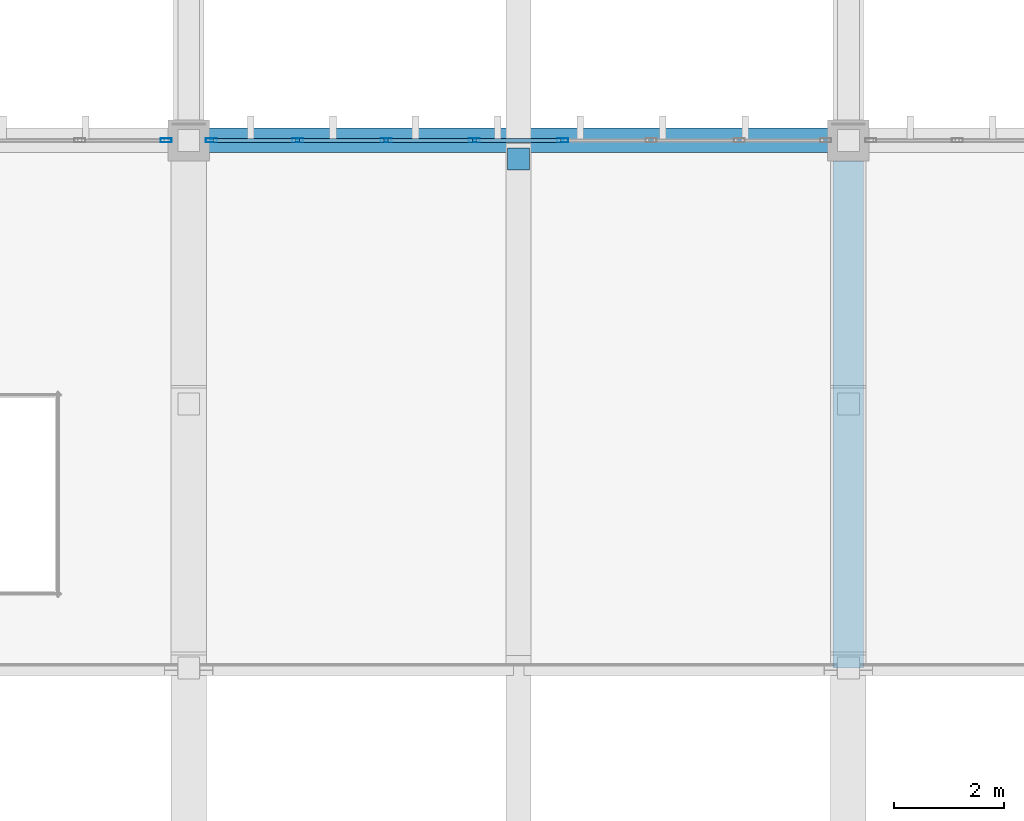
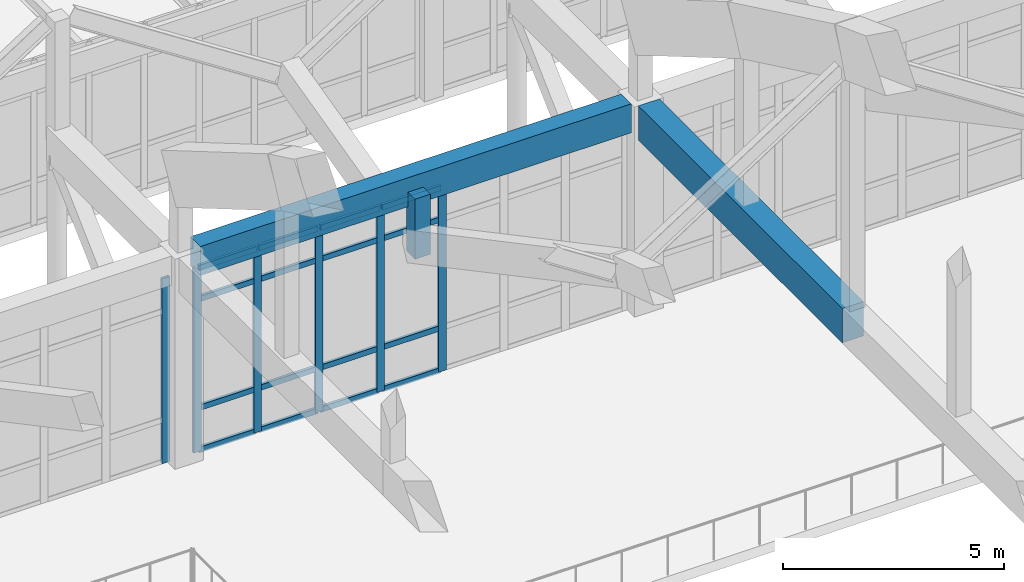
# One storey, part 84 of 236: 23 members, 2 beams, 2 elements without a shape of their own.
"""IFC4 building model written with IfcOpenShell, lengths in metres."""

from ifc_helpers import new_model, si_unit, direction, frame, origin, origin_2d, place, context, subcontext, project, spatial, rectangle, hollow_rectangle, extrude, material, layer, layer_set, material_profile, profile_set, type_object, element, aggregate, save


model = new_model("IFC4")

# Units and contexts
model_context = context("Model", 3, precision=1e-05, world=origin(), true_north=direction((0.0, 1.0)))
body_context = subcontext(model_context, "Body", "Model", "MODEL_VIEW")
ifc_project = project(units=[si_unit("LENGTHUNIT", "METRE"), si_unit("AREAUNIT", "SQUARE_METRE"), si_unit("VOLUMEUNIT", "CUBIC_METRE"), si_unit("PLANEANGLEUNIT", "RADIAN"), si_unit("MASSUNIT", "GRAM", prefix="KILO")], contexts=[model_context])

# Site, building, storey
site_placement = place(None, origin())
site = spatial("IfcSite", under=ifc_project, at=site_placement, CompositionType="ELEMENT")
building_placement = place(site_placement, origin())
building = spatial("IfcBuilding", under=site, at=building_placement, Name="Pandanus Reach Market Hall", CompositionType="ELEMENT")
storey_placement = place(building_placement, frame((0.0, 0.0, 5.39990234375)))
storey = spatial("IfcBuildingStorey", under=building, at=storey_placement, Name="L01", CompositionType="ELEMENT", Elevation=5.39990234375)

# Member
ifc_material_1 = material(Name="Concrete N50 (50 MPa)", Category="concrete")
ifc_material_profile_1 = material_profile(ifc_material_1, rectangle(XDim=0.39990234375, YDim=0.39990234375, at=origin_2d()), Name="RC400x400", Category="LoadBearing")
ifc_profile_set_1 = profile_set([ifc_material_profile_1], Name="Concrete N50 (50 MPa)")
member_type_1 = type_object("IfcMemberType", Name="AR-WEB400-E", PredefinedType="STRUT", material=ifc_profile_set_1)
member_1_placement = place(storey_placement, frame((102.0, 86.06005859375, 3.739990234375), z_axis=(0.0, 0.0, 1.0), x_axis=(1.0, 0.0, 0.0)))
element("IfcMember", 1, at=member_1_placement, inside=storey, type_object=member_type_1, Name="Butterfly north eave valley hanger B5N", PredefinedType="STRUT", context=body_context, shape_type="SweptSolid", body=[
    extrude(rectangle(XDim=0.39990234375, YDim=0.39990234375, at=origin_2d()), origin(), (0.0, 0.0, 1.0), 1.66015625),
])

# Beams
ifc_material_2 = material(Name="Concrete N40 (40 MPa)", Category="concrete")
ifc_material_profile_2 = material_profile(ifc_material_2, rectangle(XDim=0.449951171875, YDim=0.800048828125, at=origin_2d()), Name="RC450x800", Category="LoadBearing")
ifc_profile_set_2 = profile_set([ifc_material_profile_2], Name="Concrete N40 (40 MPa)")
beam_type_1 = type_object("IfcBeamType", Name="BM-RC450-E", PredefinedType="SPANDREL", material=ifc_profile_set_2)
beam_1_placement = place(storey_placement, frame((96.373046875, 86.39990234375, 5.400146484375), z_axis=(1.0, 0.0, 0.0), x_axis=(0.0, 1.0, 0.0)))
element("IfcBeam", 2, at=beam_1_placement, inside=storey, type_object=beam_type_1, Name="Framing beam BM-RC450-E L01.1149", PredefinedType="SPANDREL", context=body_context, shape_type="SweptSolid", body=[
    extrude(rectangle(XDim=0.449951171875, YDim=0.800048828125, at=origin_2d()), origin(), (0.0, 0.0, 1.0), 11.25390625),
])
ifc_material_profile_3 = material_profile(ifc_material_1, rectangle(XDim=0.550048828125, YDim=0.949951171875, at=origin_2d()), Name="RC550x950", Category="LoadBearing")
ifc_profile_set_3 = profile_set([ifc_material_profile_3], Name="Concrete N50 (50 MPa)")
beam_type_2 = type_object("IfcBeamType", Name="BM-RC550-I", PredefinedType="BEAM", material=ifc_profile_set_3)
beam_2_placement = place(storey_placement, frame((108.0, 76.800048828125, 5.3251953125), z_axis=(0.0, 1.0, 0.0), x_axis=(-1.0, 0.0, 0.0)))
element("IfcBeam", 3, at=beam_2_placement, inside=storey, type_object=beam_type_2, Name="Parabolic arch tie girder A6.6", PredefinedType="BEAM", context=body_context, shape_type="SweptSolid", body=[
    extrude(rectangle(XDim=0.550048828125, YDim=0.949951171875, at=origin_2d()), origin(), (0.0, 0.0, 1.0), 9.22705078125),
])

# Curtain wall, member
ifc_material_3 = material(Name="Bronze anodised aluminium and low-E glass", Category="aluminium")
ifc_layer = layer(ifc_material_3, 0.199951171875, Name="CW-02")
ifc_layer_set = layer_set([ifc_layer], Name="Bronze anodised aluminium and low-E glass")
curtain_wall_type = type_object("IfcCurtainWallType", Name="CW-02", PredefinedType="NOTDEFINED", material=ifc_layer_set)
curtain_wall_1_placement = place(storey_placement, origin())
curtain_wall_1 = element("IfcCurtainWall", 4, at=curtain_wall_1_placement, inside=storey, type_object=curtain_wall_type, Name="Glazed curtain wall CW-02 CW-0013", PredefinedType="NOTDEFINED")
ifc_material_4 = material(Name="Bronze anodised aluminium", Category="aluminium")
ifc_material_profile_4 = material_profile(ifc_material_4, hollow_rectangle(XDim=0.074951171875, YDim=0.199951171875, WallThickness=0.00439453125, at=origin_2d()), Name="ALU75x200", Category="LoadBearing")
ifc_profile_set_4 = profile_set([ifc_material_profile_4], Name="Bronze anodised aluminium")
member_type_2 = type_object("IfcMemberType", Name="CW-M2", PredefinedType="MULLION", material=ifc_profile_set_4)
member_2_placement = place(storey_placement, frame((95.58740234375, 86.39990234375, 0.0), z_axis=(0.0, 0.0, 1.0), x_axis=(0.0, 1.0, 0.0)))
member_2 = element("IfcMember", 5, at=member_2_placement, type_object=member_type_2, Name="CW-02 mullion 8", PredefinedType="MULLION", context=body_context, shape_type="SweptSolid", body=[
    extrude(hollow_rectangle(XDim=0.074951171875, YDim=0.199951171875, WallThickness=0.00439453125, at=origin_2d()), origin(), (0.0, 0.0, 1.0), 5.10009765625),
])
aggregate(curtain_wall_1, [member_2])

# Curtain wall, members
curtain_wall_2_placement = place(storey_placement, origin())
curtain_wall_2 = element("IfcCurtainWall", 6, at=curtain_wall_2_placement, inside=storey, type_object=curtain_wall_type, Name="Glazed curtain wall CW-02 CW-0015", PredefinedType="NOTDEFINED")
member_3_placement = place(storey_placement, frame((96.41259765625, 86.39990234375, 0.0), z_axis=(0.0, 0.0, 1.0), x_axis=(0.0, 1.0, 0.0)))
member_3 = element("IfcMember", 7, at=member_3_placement, type_object=member_type_2, Name="CW-02 mullion 1", PredefinedType="MULLION", context=body_context, shape_type="SweptSolid", body=[
    extrude(hollow_rectangle(XDim=0.074951171875, YDim=0.199951171875, WallThickness=0.00439453125, at=origin_2d()), origin(), (0.0, 0.0, 1.0), 5.10009765625),
])
member_4_placement = place(storey_placement, frame((97.982177734375, 86.39990234375, 0.0), z_axis=(0.0, 0.0, 1.0), x_axis=(0.0, 1.0, 0.0)))
member_4 = element("IfcMember", 8, at=member_4_placement, type_object=member_type_2, Name="CW-02 mullion 2", PredefinedType="MULLION", context=body_context, shape_type="SweptSolid", body=[
    extrude(hollow_rectangle(XDim=0.074951171875, YDim=0.199951171875, WallThickness=0.00439453125, at=origin_2d()), origin(), (0.0, 0.0, 1.0), 5.10009765625),
])
member_5_placement = place(storey_placement, frame((99.58935546875, 86.39990234375, 0.0), z_axis=(0.0, 0.0, 1.0), x_axis=(0.0, 1.0, 0.0)))
member_5 = element("IfcMember", 9, at=member_5_placement, type_object=member_type_2, Name="CW-02 mullion 3", PredefinedType="MULLION", context=body_context, shape_type="SweptSolid", body=[
    extrude(hollow_rectangle(XDim=0.074951171875, YDim=0.199951171875, WallThickness=0.00439453125, at=origin_2d()), origin(), (0.0, 0.0, 1.0), 5.10009765625),
])
member_6_placement = place(storey_placement, frame((101.196533203125, 86.39990234375, 0.0), z_axis=(0.0, 0.0, 1.0), x_axis=(0.0, 1.0, 0.0)))
member_6 = element("IfcMember", 10, at=member_6_placement, type_object=member_type_2, Name="CW-02 mullion 4", PredefinedType="MULLION", context=body_context, shape_type="SweptSolid", body=[
    extrude(hollow_rectangle(XDim=0.074951171875, YDim=0.199951171875, WallThickness=0.00439453125, at=origin_2d()), origin(), (0.0, 0.0, 1.0), 5.10009765625),
])
member_7_placement = place(storey_placement, frame((102.803466796875, 86.39990234375, 0.0), z_axis=(0.0, 0.0, 1.0), x_axis=(0.0, 1.0, 0.0)))
member_7 = element("IfcMember", 11, at=member_7_placement, type_object=member_type_2, Name="CW-02 mullion 5", PredefinedType="MULLION", context=body_context, shape_type="SweptSolid", body=[
    extrude(hollow_rectangle(XDim=0.074951171875, YDim=0.199951171875, WallThickness=0.00439453125, at=origin_2d()), origin(), (0.0, 0.0, 1.0), 5.10009765625),
])
ifc_material_profile_5 = material_profile(ifc_material_4, hollow_rectangle(XDim=0.074951171875, YDim=0.14990234375, WallThickness=0.00439453125, at=origin_2d()), Name="ALU75x150", Category="LoadBearing")
ifc_profile_set_5 = profile_set([ifc_material_profile_5], Name="Bronze anodised aluminium")
member_type_3 = type_object("IfcMemberType", Name="CW-T2", PredefinedType="USERDEFINED", material=ifc_profile_set_5)
member_8_placement = place(storey_placement, frame((96.449951171875, 86.39990234375, 0.03759765625), z_axis=(1.0, 0.0, 0.0), x_axis=(0.0, 1.0, 0.0)))
member_8 = element("IfcMember", 12, at=member_8_placement, type_object=member_type_3, Name="CW-02 transom 1.1", ObjectType="TRANSOM", PredefinedType="USERDEFINED", context=body_context, shape_type="SweptSolid", body=[
    extrude(hollow_rectangle(XDim=0.074951171875, YDim=0.14990234375, WallThickness=0.00439453125, at=origin_2d()), origin(), (0.0, 0.0, 1.0), 1.49462890625),
])
member_9_placement = place(storey_placement, frame((96.449951171875, 86.39990234375, 1.2001953125), z_axis=(1.0, 0.0, 0.0), x_axis=(0.0, 1.0, 0.0)))
member_9 = element("IfcMember", 13, at=member_9_placement, type_object=member_type_3, Name="CW-02 transom 1.2", ObjectType="TRANSOM", PredefinedType="USERDEFINED", context=body_context, shape_type="SweptSolid", body=[
    extrude(hollow_rectangle(XDim=0.074951171875, YDim=0.14990234375, WallThickness=0.00439453125, at=origin_2d()), origin(), (0.0, 0.0, 1.0), 1.49462890625),
])
member_10_placement = place(storey_placement, frame((96.449951171875, 86.39990234375, 4.2001953125), z_axis=(1.0, 0.0, 0.0), x_axis=(0.0, 1.0, 0.0)))
member_10 = element("IfcMember", 14, at=member_10_placement, type_object=member_type_3, Name="CW-02 transom 1.3", ObjectType="TRANSOM", PredefinedType="USERDEFINED", context=body_context, shape_type="SweptSolid", body=[
    extrude(hollow_rectangle(XDim=0.074951171875, YDim=0.14990234375, WallThickness=0.00439453125, at=origin_2d()), origin(), (0.0, 0.0, 1.0), 1.49462890625),
])
member_11_placement = place(storey_placement, frame((96.449951171875, 86.39990234375, 5.0625), z_axis=(1.0, 0.0, 0.0), x_axis=(0.0, 1.0, 0.0)))
member_11 = element("IfcMember", 15, at=member_11_placement, type_object=member_type_3, Name="CW-02 transom 1.4", ObjectType="TRANSOM", PredefinedType="USERDEFINED", context=body_context, shape_type="SweptSolid", body=[
    extrude(hollow_rectangle(XDim=0.074951171875, YDim=0.14990234375, WallThickness=0.00439453125, at=origin_2d()), origin(), (0.0, 0.0, 1.0), 1.49462890625),
])
member_12_placement = place(storey_placement, frame((98.01953125, 86.39990234375, 0.03759765625), z_axis=(1.0, 0.0, 0.0), x_axis=(0.0, 1.0, 0.0)))
member_12 = element("IfcMember", 16, at=member_12_placement, type_object=member_type_3, Name="CW-02 transom 2.1", ObjectType="TRANSOM", PredefinedType="USERDEFINED", context=body_context, shape_type="SweptSolid", body=[
    extrude(hollow_rectangle(XDim=0.074951171875, YDim=0.14990234375, WallThickness=0.00439453125, at=origin_2d()), origin(), (0.0, 0.0, 1.0), 1.5322265625),
])
member_13_placement = place(storey_placement, frame((98.01953125, 86.39990234375, 1.2001953125), z_axis=(1.0, 0.0, 0.0), x_axis=(0.0, 1.0, 0.0)))
member_13 = element("IfcMember", 17, at=member_13_placement, type_object=member_type_3, Name="CW-02 transom 2.2", ObjectType="TRANSOM", PredefinedType="USERDEFINED", context=body_context, shape_type="SweptSolid", body=[
    extrude(hollow_rectangle(XDim=0.074951171875, YDim=0.14990234375, WallThickness=0.00439453125, at=origin_2d()), origin(), (0.0, 0.0, 1.0), 1.5322265625),
])
member_14_placement = place(storey_placement, frame((98.01953125, 86.39990234375, 4.2001953125), z_axis=(1.0, 0.0, 0.0), x_axis=(0.0, 1.0, 0.0)))
member_14 = element("IfcMember", 18, at=member_14_placement, type_object=member_type_3, Name="CW-02 transom 2.3", ObjectType="TRANSOM", PredefinedType="USERDEFINED", context=body_context, shape_type="SweptSolid", body=[
    extrude(hollow_rectangle(XDim=0.074951171875, YDim=0.14990234375, WallThickness=0.00439453125, at=origin_2d()), origin(), (0.0, 0.0, 1.0), 1.5322265625),
])
member_15_placement = place(storey_placement, frame((98.01953125, 86.39990234375, 5.0625), z_axis=(1.0, 0.0, 0.0), x_axis=(0.0, 1.0, 0.0)))
member_15 = element("IfcMember", 19, at=member_15_placement, type_object=member_type_3, Name="CW-02 transom 2.4", ObjectType="TRANSOM", PredefinedType="USERDEFINED", context=body_context, shape_type="SweptSolid", body=[
    extrude(hollow_rectangle(XDim=0.074951171875, YDim=0.14990234375, WallThickness=0.00439453125, at=origin_2d()), origin(), (0.0, 0.0, 1.0), 1.5322265625),
])
member_16_placement = place(storey_placement, frame((99.626708984375, 86.39990234375, 0.03759765625), z_axis=(1.0, 0.0, 0.0), x_axis=(0.0, 1.0, 0.0)))
member_16 = element("IfcMember", 20, at=member_16_placement, type_object=member_type_3, Name="CW-02 transom 3.1", ObjectType="TRANSOM", PredefinedType="USERDEFINED", context=body_context, shape_type="SweptSolid", body=[
    extrude(hollow_rectangle(XDim=0.074951171875, YDim=0.14990234375, WallThickness=0.00439453125, at=origin_2d()), origin(), (0.0, 0.0, 1.0), 1.5322265625),
])
member_17_placement = place(storey_placement, frame((99.626708984375, 86.39990234375, 1.2001953125), z_axis=(1.0, 0.0, 0.0), x_axis=(0.0, 1.0, 0.0)))
member_17 = element("IfcMember", 21, at=member_17_placement, type_object=member_type_3, Name="CW-02 transom 3.2", ObjectType="TRANSOM", PredefinedType="USERDEFINED", context=body_context, shape_type="SweptSolid", body=[
    extrude(hollow_rectangle(XDim=0.074951171875, YDim=0.14990234375, WallThickness=0.00439453125, at=origin_2d()), origin(), (0.0, 0.0, 1.0), 1.5322265625),
])
member_18_placement = place(storey_placement, frame((99.626708984375, 86.39990234375, 4.2001953125), z_axis=(1.0, 0.0, 0.0), x_axis=(0.0, 1.0, 0.0)))
member_18 = element("IfcMember", 22, at=member_18_placement, type_object=member_type_3, Name="CW-02 transom 3.3", ObjectType="TRANSOM", PredefinedType="USERDEFINED", context=body_context, shape_type="SweptSolid", body=[
    extrude(hollow_rectangle(XDim=0.074951171875, YDim=0.14990234375, WallThickness=0.00439453125, at=origin_2d()), origin(), (0.0, 0.0, 1.0), 1.5322265625),
])
member_19_placement = place(storey_placement, frame((99.626708984375, 86.39990234375, 5.0625), z_axis=(1.0, 0.0, 0.0), x_axis=(0.0, 1.0, 0.0)))
member_19 = element("IfcMember", 23, at=member_19_placement, type_object=member_type_3, Name="CW-02 transom 3.4", ObjectType="TRANSOM", PredefinedType="USERDEFINED", context=body_context, shape_type="SweptSolid", body=[
    extrude(hollow_rectangle(XDim=0.074951171875, YDim=0.14990234375, WallThickness=0.00439453125, at=origin_2d()), origin(), (0.0, 0.0, 1.0), 1.5322265625),
])
member_20_placement = place(storey_placement, frame((101.23388671875, 86.39990234375, 0.03759765625), z_axis=(1.0, 0.0, 0.0), x_axis=(0.0, 1.0, 0.0)))
member_20 = element("IfcMember", 24, at=member_20_placement, type_object=member_type_3, Name="CW-02 transom 4.1", ObjectType="TRANSOM", PredefinedType="USERDEFINED", context=body_context, shape_type="SweptSolid", body=[
    extrude(hollow_rectangle(XDim=0.074951171875, YDim=0.14990234375, WallThickness=0.00439453125, at=origin_2d()), origin(), (0.0, 0.0, 1.0), 1.5322265625),
])
member_21_placement = place(storey_placement, frame((101.23388671875, 86.39990234375, 1.2001953125), z_axis=(1.0, 0.0, 0.0), x_axis=(0.0, 1.0, 0.0)))
member_21 = element("IfcMember", 25, at=member_21_placement, type_object=member_type_3, Name="CW-02 transom 4.2", ObjectType="TRANSOM", PredefinedType="USERDEFINED", context=body_context, shape_type="SweptSolid", body=[
    extrude(hollow_rectangle(XDim=0.074951171875, YDim=0.14990234375, WallThickness=0.00439453125, at=origin_2d()), origin(), (0.0, 0.0, 1.0), 1.5322265625),
])
member_22_placement = place(storey_placement, frame((101.23388671875, 86.39990234375, 4.2001953125), z_axis=(1.0, 0.0, 0.0), x_axis=(0.0, 1.0, 0.0)))
member_22 = element("IfcMember", 26, at=member_22_placement, type_object=member_type_3, Name="CW-02 transom 4.3", ObjectType="TRANSOM", PredefinedType="USERDEFINED", context=body_context, shape_type="SweptSolid", body=[
    extrude(hollow_rectangle(XDim=0.074951171875, YDim=0.14990234375, WallThickness=0.00439453125, at=origin_2d()), origin(), (0.0, 0.0, 1.0), 1.5322265625),
])
member_23_placement = place(storey_placement, frame((101.23388671875, 86.39990234375, 5.0625), z_axis=(1.0, 0.0, 0.0), x_axis=(0.0, 1.0, 0.0)))
member_23 = element("IfcMember", 27, at=member_23_placement, type_object=member_type_3, Name="CW-02 transom 4.4", ObjectType="TRANSOM", PredefinedType="USERDEFINED", context=body_context, shape_type="SweptSolid", body=[
    extrude(hollow_rectangle(XDim=0.074951171875, YDim=0.14990234375, WallThickness=0.00439453125, at=origin_2d()), origin(), (0.0, 0.0, 1.0), 1.5322265625),
])
aggregate(curtain_wall_2, [member_3, member_4, member_5, member_6, member_7, member_8, member_9, member_10, member_11, member_12, member_13, member_14, member_15, member_16, member_17, member_18, member_19, member_20, member_21, member_22, member_23])

save(model, "model.ifc")
